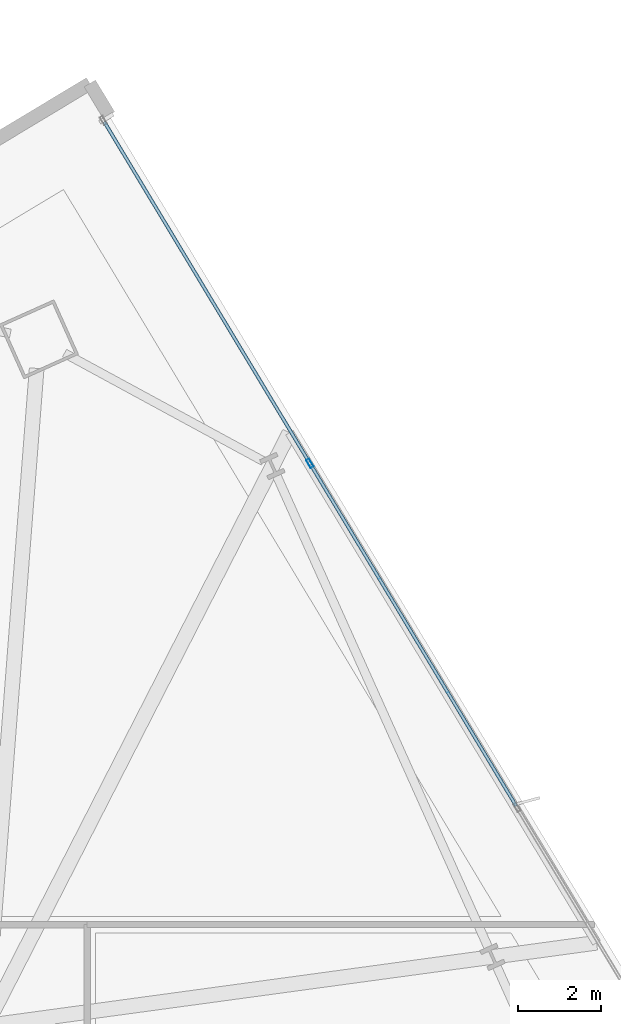
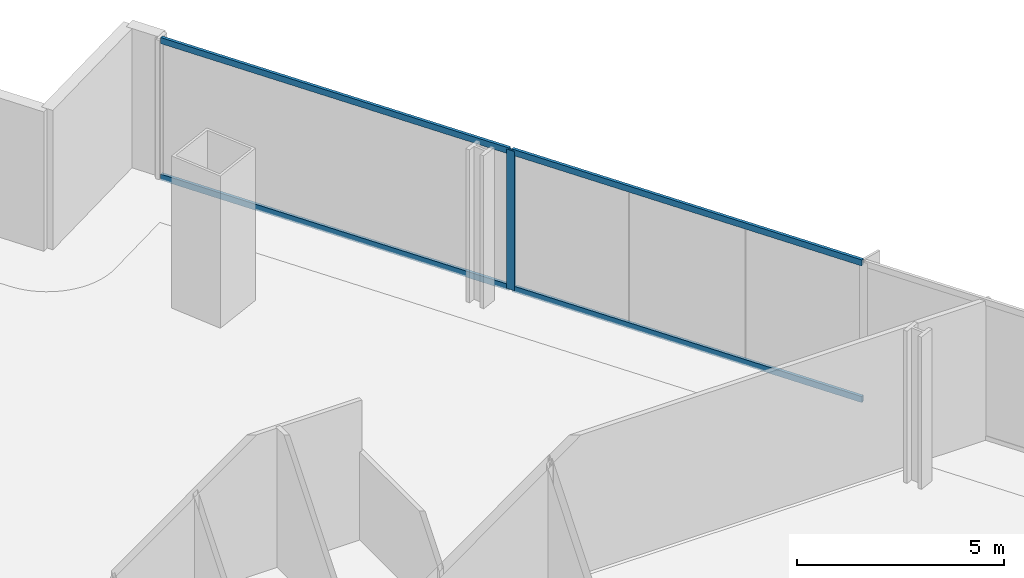
# One storey, part 20 of 30: 5 members, 1 element without a shape of its own.
"""IFC4 building model written with IfcOpenShell, lengths in metres."""

from ifc_helpers import new_model, si_unit, direction, frame, origin, origin_2d, place, context, subcontext, project, spatial, hollow_rectangle, extrude, material, material_profile, profile_set, type_object, element, aggregate, save


model = new_model("IFC4")

# Units and contexts
model_context = context("Model", 3, precision=1e-05, world=origin(), true_north=direction((0.0, 1.0)))
body_context = subcontext(model_context, "Body", "Model", "MODEL_VIEW")
ifc_project = project(units=[si_unit("LENGTHUNIT", "METRE"), si_unit("AREAUNIT", "SQUARE_METRE"), si_unit("VOLUMEUNIT", "CUBIC_METRE"), si_unit("PLANEANGLEUNIT", "RADIAN"), si_unit("MASSUNIT", "GRAM", prefix="KILO")], contexts=[model_context])

# Site, building, storey
site_placement = place(None, origin())
site = spatial("IfcSite", under=ifc_project, at=site_placement, CompositionType="ELEMENT")
building_placement = place(site_placement, origin())
building = spatial("IfcBuilding", under=site, at=building_placement, Name="Haldenkirk Collegiate Tower", CompositionType="ELEMENT")
storey_placement = place(building_placement, frame((0.0, 0.0, 131.699951171875)))
storey = spatial("IfcBuildingStorey", under=building, at=storey_placement, Name="L32", CompositionType="ELEMENT", Elevation=131.699951171875)

# Curtain wall, members
ifc_material = material(Name="Anodised architectural bronze aluminium", Category="aluminium")
curtain_wall_type = type_object("IfcCurtainWallType", Name="CW-SYS1-CONVEX-LOW", PredefinedType="USERDEFINED", material=ifc_material)
curtain_wall_placement = place(storey_placement, origin())
curtain_wall = element("IfcCurtainWall", 1, at=curtain_wall_placement, inside=storey, type_object=curtain_wall_type, Name="L32 Lower tower convex bronze-framed unitised curtain wall", ObjectType="UNITISED CURTAIN WALL", PredefinedType="USERDEFINED")
ifc_material_profile_1 = material_profile(ifc_material, hollow_rectangle(XDim=0.080078125, YDim=0.219970703125, WallThickness=0.0048828125, at=origin_2d()), Name="CW-MUL-1A")
ifc_profile_set_1 = profile_set([ifc_material_profile_1], Name="Anodised architectural bronze aluminium")
member_type_1 = type_object("IfcMemberType", Name="CW-MUL-1A", PredefinedType="MULLION", material=ifc_profile_set_1)
member_1_placement = place(storey_placement, frame((52.83544921875, 47.611328125, 0.0), z_axis=(0.0, 0.0, 1.0), x_axis=(0.856719120283, 0.51578323833, 0.0)))
member_1 = element("IfcMember", 2, at=member_1_placement, type_object=member_type_1, Name="CW-1A mullion 2", PredefinedType="MULLION", context=body_context, shape_type="SweptSolid", body=[
    extrude(hollow_rectangle(XDim=0.080078125, YDim=0.219970703125, WallThickness=0.0048828125, at=origin_2d()), origin(), (0.0, 0.0, 1.0), 4.10009765625),
])
ifc_material_profile_2 = material_profile(ifc_material, hollow_rectangle(XDim=0.080078125, YDim=0.179931640625, WallThickness=0.0048828125, at=origin_2d()), Name="CW-TRN-1A")
ifc_profile_set_2 = profile_set([ifc_material_profile_2], Name="Anodised architectural bronze aluminium")
member_type_2 = type_object("IfcMemberType", Name="CW-TRN-1A", PredefinedType="USERDEFINED", material=ifc_profile_set_2)
member_2_placement = place(storey_placement, frame((47.864013671875, 55.869140625, 0.0400390625), z_axis=(0.515778105503, -0.856722210453, 0.0), x_axis=(0.856722210453, 0.515778105503, 0.0)))
member_2 = element("IfcMember", 3, at=member_2_placement, type_object=member_type_2, Name="CW-1A transom 1.1", ObjectType="TRANSOM", PredefinedType="USERDEFINED", context=body_context, shape_type="SweptSolid", body=[
    extrude(hollow_rectangle(XDim=0.080078125, YDim=0.179931640625, WallThickness=0.0048828125, at=origin_2d()), origin(), (0.0, 0.0, 1.0), 9.598876953125),
])
member_3_placement = place(storey_placement, frame((47.864013671875, 55.869140625, 4.06005859375), z_axis=(0.515778105503, -0.856722210453, 0.0), x_axis=(0.856722210453, 0.515778105503, 0.0)))
member_3 = element("IfcMember", 4, at=member_3_placement, type_object=member_type_2, Name="CW-1A transom 1.2", ObjectType="TRANSOM", PredefinedType="USERDEFINED", context=body_context, shape_type="SweptSolid", body=[
    extrude(hollow_rectangle(XDim=0.080078125, YDim=0.179931640625, WallThickness=0.0048828125, at=origin_2d()), origin(), (0.0, 0.0, 1.0), 9.598876953125),
])
member_4_placement = place(storey_placement, frame((52.856201171875, 47.5771484375, 0.0400390625), z_axis=(0.515772804891, -0.856725401593, 0.0), x_axis=(0.856725401593, 0.515772804891, 0.0)))
member_4 = element("IfcMember", 5, at=member_4_placement, type_object=member_type_2, Name="CW-1A transom 2.1", ObjectType="TRANSOM", PredefinedType="USERDEFINED", context=body_context, shape_type="SweptSolid", body=[
    extrude(hollow_rectangle(XDim=0.080078125, YDim=0.179931640625, WallThickness=0.0048828125, at=origin_2d()), origin(), (0.0, 0.0, 1.0), 9.638916015625),
])
member_5_placement = place(storey_placement, frame((52.856201171875, 47.5771484375, 4.06005859375), z_axis=(0.515772804891, -0.856725401593, 0.0), x_axis=(0.856725401593, 0.515772804891, 0.0)))
member_5 = element("IfcMember", 6, at=member_5_placement, type_object=member_type_2, Name="CW-1A transom 2.2", ObjectType="TRANSOM", PredefinedType="USERDEFINED", context=body_context, shape_type="SweptSolid", body=[
    extrude(hollow_rectangle(XDim=0.080078125, YDim=0.179931640625, WallThickness=0.0048828125, at=origin_2d()), origin(), (0.0, 0.0, 1.0), 9.638916015625),
])
aggregate(curtain_wall, [member_1, member_2, member_3, member_4, member_5])

save(model, "model.ifc")
